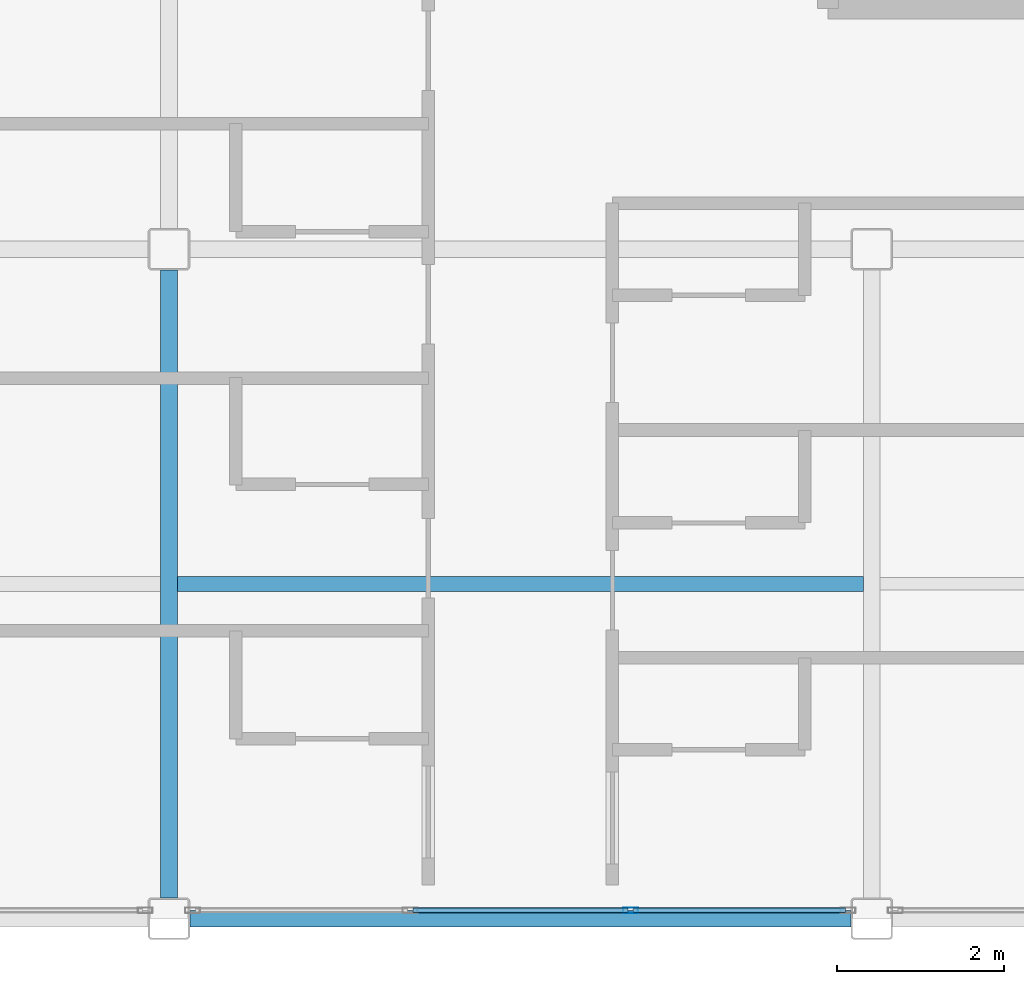
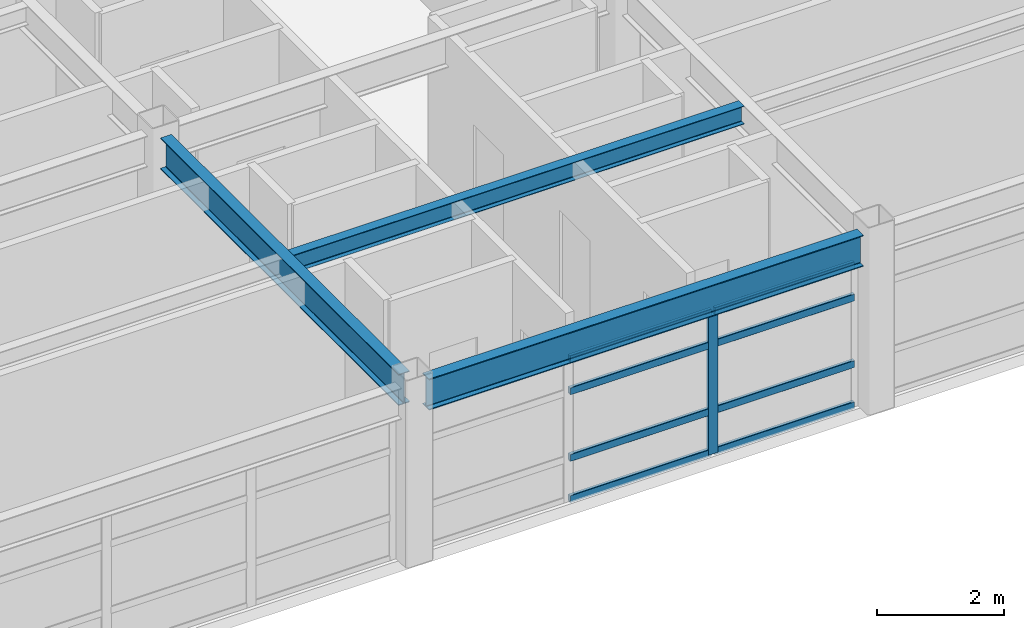
# One storey, part 4 of 35: 9 members, 3 beams, 1 element without a shape of its own.
"""IFC4 building model written with IfcOpenShell, lengths in metres."""

from ifc_helpers import new_model, si_unit, direction, frame, origin, origin_2d, place, context, subcontext, project, spatial, hollow_rectangle, i_section, extrude, material, layer, layer_set, material_profile, profile_set, type_object, element, aggregate, save


model = new_model("IFC4")

# Units and contexts
model_context = context("Model", 3, precision=1e-05, world=origin(), true_north=direction((0.0, 1.0)))
body_context = subcontext(model_context, "Body", "Model", "MODEL_VIEW")
ifc_project = project(units=[si_unit("LENGTHUNIT", "METRE"), si_unit("AREAUNIT", "SQUARE_METRE"), si_unit("VOLUMEUNIT", "CUBIC_METRE"), si_unit("PLANEANGLEUNIT", "RADIAN"), si_unit("MASSUNIT", "GRAM", prefix="KILO")], contexts=[model_context])

# Site, building, storey
site_placement = place(None, origin())
site = spatial("IfcSite", under=ifc_project, at=site_placement, CompositionType="ELEMENT")
building_placement = place(site_placement, origin())
building = spatial("IfcBuilding", under=site, at=building_placement, Name="Kazehara Bluff Congress Hotel", CompositionType="ELEMENT")
storey_placement = place(building_placement, frame((0.0, 0.0, 35.39990234375)))
storey = spatial("IfcBuildingStorey", under=building, at=storey_placement, Name="L08", CompositionType="ELEMENT", Elevation=35.39990234375)

# Curtain wall, members
ifc_material_1 = material(Name="Anodised aluminium", Category="aluminium")
ifc_layer = layer(ifc_material_1, 0.159912109375)
ifc_layer_set = layer_set([ifc_layer], Name="Anodised aluminium")
curtain_wall_type = type_object("IfcCurtainWallType", Name="TP-CW-185", PredefinedType="NOTDEFINED", material=ifc_layer_set)
curtain_wall_placement = place(storey_placement, origin())
curtain_wall = element("IfcCurtainWall", 1, at=curtain_wall_placement, inside=storey, type_object=curtain_wall_type, Name="L08 curtain wall CW-185 CW-ENC-V5-L08-15630-810", PredefinedType="NOTDEFINED")
ifc_material_2 = material(Name="Anodised aluminium", Category="aluminium")
ifc_material_profile_1 = material_profile(ifc_material_2, hollow_rectangle(XDim=0.06494140625, YDim=0.179931640625, WallThickness=0.00390625, InnerFilletRadius=0.00390625, OuterFilletRadius=0.008056640625, at=origin_2d()))
ifc_profile_set_1 = profile_set([ifc_material_profile_1], Name="Anodised aluminium")
member_type_1 = type_object("IfcMemberType", Name="TP-CWM-02", PredefinedType="MULLION", material=ifc_profile_set_1)
member_1_placement = place(storey_placement, frame((157.61669921875, 8.10009765625, 0.0), z_axis=(0.0, 0.0, 1.0), x_axis=(0.0, -1.0, 0.0)))
member_1 = element("IfcMember", 2, at=member_1_placement, type_object=member_type_1, Name="CW-185 mullion 2", PredefinedType="MULLION", context=body_context, shape_type="SweptSolid", body=[
    extrude(hollow_rectangle(XDim=0.06494140625, YDim=0.179931640625, WallThickness=0.00390625, InnerFilletRadius=0.00390625, OuterFilletRadius=0.008056640625, at=origin_2d()), origin(), (0.0, 0.0, 1.0), 2.755126953125),
])
ifc_material_3 = material(Name="Anodised aluminium", Category="aluminium")
ifc_material_profile_2 = material_profile(ifc_material_3, hollow_rectangle(XDim=0.06494140625, YDim=0.139892578125, WallThickness=0.00390625, InnerFilletRadius=0.00390625, OuterFilletRadius=0.008056640625, at=origin_2d()))
ifc_profile_set_2 = profile_set([ifc_material_profile_2], Name="Anodised aluminium")
member_type_2 = type_object("IfcMemberType", Name="TP-CWT-02", PredefinedType="USERDEFINED", material=ifc_profile_set_2)
member_2_placement = place(storey_placement, frame((160.18505859375, 8.10009765625, 0.03271484375), z_axis=(-1.0, 0.0, 0.0), x_axis=(0.0, -1.0, 0.0)))
member_2 = element("IfcMember", 3, at=member_2_placement, type_object=member_type_2, Name="CW-185 transom 1.1", ObjectType="TRANSOM", PredefinedType="USERDEFINED", context=body_context, shape_type="SweptSolid", body=[
    extrude(hollow_rectangle(XDim=0.06494140625, YDim=0.139892578125, WallThickness=0.00390625, InnerFilletRadius=0.00390625, OuterFilletRadius=0.008056640625, at=origin_2d()), origin(), (0.0, 0.0, 1.0), 2.535888671875),
])
member_3_placement = place(storey_placement, frame((160.18505859375, 8.10009765625, 0.8251953125), z_axis=(-1.0, 0.0, 0.0), x_axis=(0.0, -1.0, 0.0)))
member_3 = element("IfcMember", 4, at=member_3_placement, type_object=member_type_2, Name="CW-185 transom 1.2", ObjectType="TRANSOM", PredefinedType="USERDEFINED", context=body_context, shape_type="SweptSolid", body=[
    extrude(hollow_rectangle(XDim=0.06494140625, YDim=0.139892578125, WallThickness=0.00390625, InnerFilletRadius=0.00390625, OuterFilletRadius=0.008056640625, at=origin_2d()), origin(), (0.0, 0.0, 1.0), 2.535888671875),
])
member_4_placement = place(storey_placement, frame((160.18505859375, 8.10009765625, 2.10498046875), z_axis=(-1.0, 0.0, 0.0), x_axis=(0.0, -1.0, 0.0)))
member_4 = element("IfcMember", 5, at=member_4_placement, type_object=member_type_2, Name="CW-185 transom 1.3", ObjectType="TRANSOM", PredefinedType="USERDEFINED", context=body_context, shape_type="SweptSolid", body=[
    extrude(hollow_rectangle(XDim=0.06494140625, YDim=0.139892578125, WallThickness=0.00390625, InnerFilletRadius=0.00390625, OuterFilletRadius=0.008056640625, at=origin_2d()), origin(), (0.0, 0.0, 1.0), 2.535888671875),
])
member_5_placement = place(storey_placement, frame((160.18505859375, 8.10009765625, 2.72265625), z_axis=(-1.0, 0.0, 0.0), x_axis=(0.0, -1.0, 0.0)))
member_5 = element("IfcMember", 6, at=member_5_placement, type_object=member_type_2, Name="CW-185 transom 1.4", ObjectType="TRANSOM", PredefinedType="USERDEFINED", context=body_context, shape_type="SweptSolid", body=[
    extrude(hollow_rectangle(XDim=0.06494140625, YDim=0.139892578125, WallThickness=0.00390625, InnerFilletRadius=0.00390625, OuterFilletRadius=0.008056640625, at=origin_2d()), origin(), (0.0, 0.0, 1.0), 2.535888671875),
])
member_6_placement = place(storey_placement, frame((157.584228515625, 8.10009765625, 0.03271484375), z_axis=(-1.0, 0.0, 0.0), x_axis=(0.0, -1.0, 0.0)))
member_6 = element("IfcMember", 7, at=member_6_placement, type_object=member_type_2, Name="CW-185 transom 2.1", ObjectType="TRANSOM", PredefinedType="USERDEFINED", context=body_context, shape_type="SweptSolid", body=[
    extrude(hollow_rectangle(XDim=0.06494140625, YDim=0.139892578125, WallThickness=0.00390625, InnerFilletRadius=0.00390625, OuterFilletRadius=0.008056640625, at=origin_2d()), origin(), (0.0, 0.0, 1.0), 2.568359375),
])
member_7_placement = place(storey_placement, frame((157.584228515625, 8.10009765625, 0.8251953125), z_axis=(-1.0, 0.0, 0.0), x_axis=(0.0, -1.0, 0.0)))
member_7 = element("IfcMember", 8, at=member_7_placement, type_object=member_type_2, Name="CW-185 transom 2.2", ObjectType="TRANSOM", PredefinedType="USERDEFINED", context=body_context, shape_type="SweptSolid", body=[
    extrude(hollow_rectangle(XDim=0.06494140625, YDim=0.139892578125, WallThickness=0.00390625, InnerFilletRadius=0.00390625, OuterFilletRadius=0.008056640625, at=origin_2d()), origin(), (0.0, 0.0, 1.0), 2.568359375),
])
member_8_placement = place(storey_placement, frame((157.584228515625, 8.10009765625, 2.10498046875), z_axis=(-1.0, 0.0, 0.0), x_axis=(0.0, -1.0, 0.0)))
member_8 = element("IfcMember", 9, at=member_8_placement, type_object=member_type_2, Name="CW-185 transom 2.3", ObjectType="TRANSOM", PredefinedType="USERDEFINED", context=body_context, shape_type="SweptSolid", body=[
    extrude(hollow_rectangle(XDim=0.06494140625, YDim=0.139892578125, WallThickness=0.00390625, InnerFilletRadius=0.00390625, OuterFilletRadius=0.008056640625, at=origin_2d()), origin(), (0.0, 0.0, 1.0), 2.568359375),
])
member_9_placement = place(storey_placement, frame((157.584228515625, 8.10009765625, 2.72265625), z_axis=(-1.0, 0.0, 0.0), x_axis=(0.0, -1.0, 0.0)))
member_9 = element("IfcMember", 10, at=member_9_placement, type_object=member_type_2, Name="CW-185 transom 2.4", ObjectType="TRANSOM", PredefinedType="USERDEFINED", context=body_context, shape_type="SweptSolid", body=[
    extrude(hollow_rectangle(XDim=0.06494140625, YDim=0.139892578125, WallThickness=0.00390625, InnerFilletRadius=0.00390625, OuterFilletRadius=0.008056640625, at=origin_2d()), origin(), (0.0, 0.0, 1.0), 2.568359375),
])
aggregate(curtain_wall, [member_1, member_2, member_3, member_4, member_5, member_6, member_7, member_8, member_9])

# Beams
ifc_material_4 = material(Name="Steel SN490B", Category="steel")
ifc_material_profile_3 = material_profile(ifc_material_4, i_section(OverallWidth=0.199951171875, OverallDepth=0.60009765625, WebThickness=0.010986328125, FlangeThickness=0.01708984375, FilletRadius=0.012939453125, at=origin_2d()))
ifc_profile_set_3 = profile_set([ifc_material_profile_3], Name="Steel SN490B")
beam_type_1 = type_object("IfcBeamType", Name="TP-G-02", PredefinedType="BEAM", material=ifc_profile_set_3)
beam_1_placement = place(storey_placement, frame((152.10009765625, 8.25, 3.080078125), z_axis=(0.0, 1.0, 0.0), x_axis=(-1.0, 0.0, 0.0)))
element("IfcBeam", 11, at=beam_1_placement, inside=storey, type_object=beam_type_1, Name="L08 girder G-02 11", PredefinedType="BEAM", context=body_context, shape_type="SweptSolid", body=[
    extrude(i_section(OverallWidth=0.199951171875, OverallDepth=0.60009765625, WebThickness=0.010986328125, FlangeThickness=0.01708984375, FilletRadius=0.012939453125, at=origin_2d()), origin(), (0.0, 0.0, 1.0), 7.5),
])
beam_2_placement = place(storey_placement, frame((152.35009765625, 8.0, 3.080078125), z_axis=(1.0, 0.0, 0.0), x_axis=(0.0, 1.0, 0.0)))
element("IfcBeam", 12, at=beam_2_placement, inside=storey, type_object=beam_type_1, Name="L08 girder G-02 37", PredefinedType="BEAM", context=body_context, shape_type="SweptSolid", body=[
    extrude(i_section(OverallWidth=0.199951171875, OverallDepth=0.60009765625, WebThickness=0.010986328125, FlangeThickness=0.01708984375, FilletRadius=0.012939453125, at=origin_2d()), origin(), (0.0, 0.0, 1.0), 7.89990234375),
])
ifc_material_5 = material(Name="Steel SN400B", Category="steel")
ifc_material_profile_4 = material_profile(ifc_material_5, i_section(OverallWidth=0.175048828125, OverallDepth=0.35009765625, WebThickness=0.007080078125, FlangeThickness=0.010986328125, FilletRadius=0.012939453125, at=origin_2d()))
ifc_profile_set_4 = profile_set([ifc_material_profile_4], Name="Steel SN400B")
beam_type_2 = type_object("IfcBeamType", Name="TP-J-02", PredefinedType="JOIST", material=ifc_profile_set_4)
beam_3_placement = place(storey_placement, frame((152.199951171875, 12.0, 3.205078125), z_axis=(1.0, 0.0, 0.0), x_axis=(0.0, 1.0, 0.0)))
element("IfcBeam", 13, at=beam_3_placement, inside=storey, type_object=beam_type_2, Name="L08 secondary joist J-02 8", PredefinedType="JOIST", context=body_context, shape_type="SweptSolid", body=[
    extrude(i_section(OverallWidth=0.175048828125, OverallDepth=0.35009765625, WebThickness=0.007080078125, FlangeThickness=0.010986328125, FilletRadius=0.012939453125, at=origin_2d()), origin(), (0.0, 0.0, 1.0), 8.199951171875),
])

save(model, "model.ifc")
